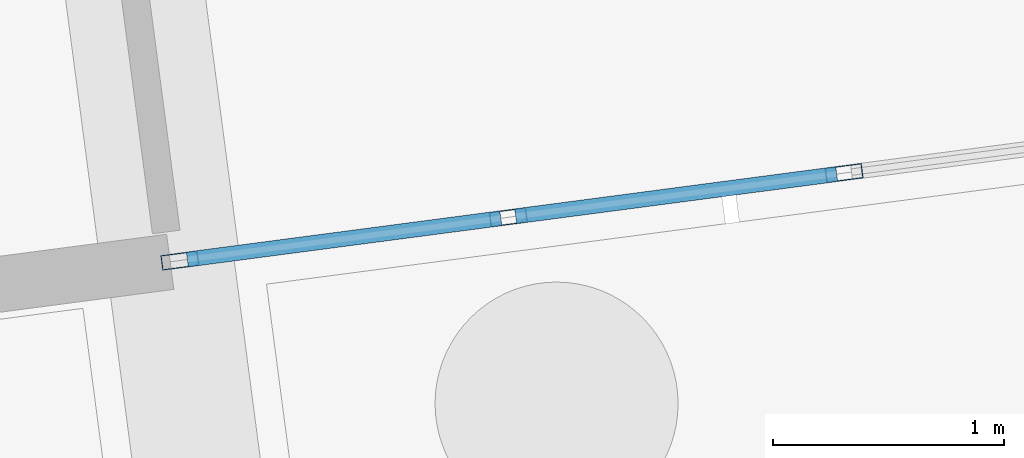
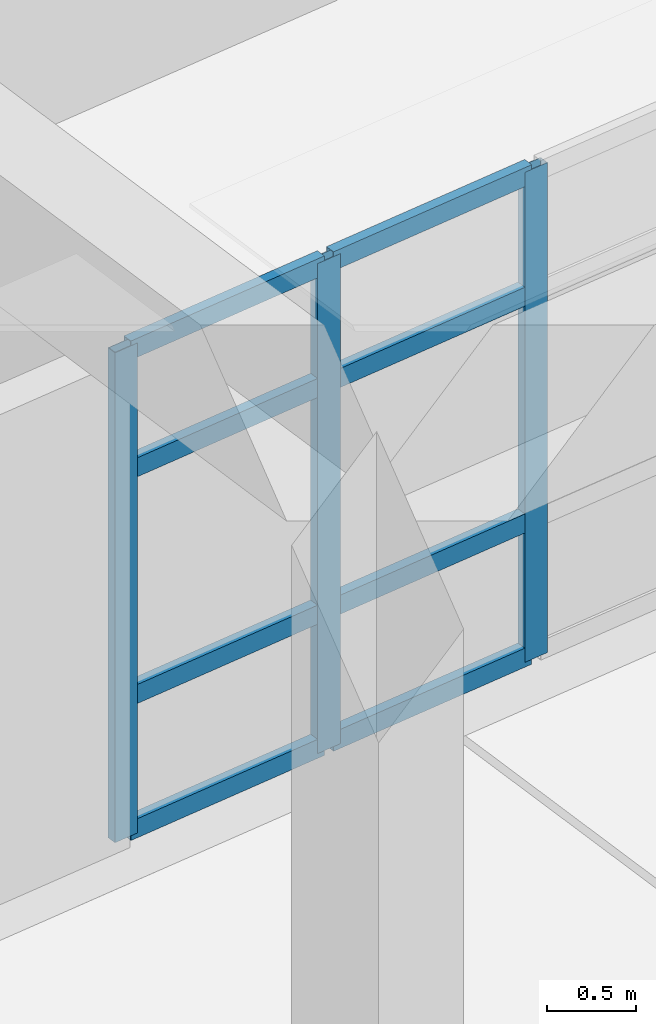
# One storey, part 62 of 154: 11 members, 1 element without a shape of its own.
"""IFC4 building model written with IfcOpenShell, lengths in metres."""

from ifc_helpers import new_model, si_unit, direction, frame, origin, origin_2d, place, context, subcontext, project, spatial, hollow_rectangle, extrude, material, material_profile, profile_set, type_object, element, aggregate, save


model = new_model("IFC4")

# Units and contexts
model_context = context("Model", 3, precision=1e-05, world=origin(), true_north=direction((0.0, 1.0)))
body_context = subcontext(model_context, "Body", "Model", "MODEL_VIEW")
ifc_project = project(units=[si_unit("LENGTHUNIT", "METRE"), si_unit("AREAUNIT", "SQUARE_METRE"), si_unit("VOLUMEUNIT", "CUBIC_METRE"), si_unit("PLANEANGLEUNIT", "RADIAN"), si_unit("MASSUNIT", "GRAM", prefix="KILO")], contexts=[model_context])

# Site, building, storey
site_placement = place(None, origin())
site = spatial("IfcSite", under=ifc_project, at=site_placement, CompositionType="ELEMENT")
building_placement = place(site_placement, origin())
building = spatial("IfcBuilding", under=site, at=building_placement, Name="Kestramere Prow Commons", CompositionType="ELEMENT")
storey_placement = place(building_placement, origin())
storey = spatial("IfcBuildingStorey", under=building, at=storey_placement, Name="L00", CompositionType="ELEMENT", Elevation=0.0)

# Curtain wall, members
ifc_material_1 = material(Name="Anodised Aluminium and Low-E Glass", Category="aluminium")
curtain_wall_type = type_object("IfcCurtainWallType", Name="CW-01 Glazed Curtain Wall 8780x3350", PredefinedType="USERDEFINED", material=ifc_material_1)
curtain_wall_placement = place(storey_placement, origin())
curtain_wall = element("IfcCurtainWall", 1, at=curtain_wall_placement, inside=storey, type_object=curtain_wall_type, Name="Block A L00 South Colonnade Storefront 5", ObjectType="GLAZED CURTAIN WALL", PredefinedType="USERDEFINED")
ifc_material_2 = material(Name="Anodised Aluminium 6063-T6", Category="aluminium")
ifc_material_profile_1 = material_profile(ifc_material_2, hollow_rectangle(XDim=0.06494140625, YDim=0.159912109375, WallThickness=0.00390625, at=origin_2d()), Name="ALU-MUL 65x160")
ifc_profile_set_1 = profile_set([ifc_material_profile_1], Name="Anodised Aluminium 6063-T6")
member_type_1 = type_object("IfcMemberType", Name="CW-MUL-65x160", PredefinedType="MULLION", material=ifc_profile_set_1)
member_1_placement = place(storey_placement, frame((48.697021484375, 79.357421875, 0.0), z_axis=(0.0, 0.0, 1.0), x_axis=(0.130526194106, -0.991444861125, 0.0)))
member_1 = element("IfcMember", 2, at=member_1_placement, type_object=member_type_1, Name="CW-01 mullion 5", PredefinedType="MULLION", context=body_context, shape_type="SweptSolid", body=[
    extrude(hollow_rectangle(XDim=0.06494140625, YDim=0.159912109375, WallThickness=0.00390625, at=origin_2d()), origin(), (0.0, 0.0, 1.0), 3.35009765625),
])
member_2_placement = place(storey_placement, frame((47.246337890625, 79.166259765625, 0.0), z_axis=(0.0, 0.0, 1.0), x_axis=(0.130526194106, -0.991444861125, 0.0)))
member_2 = element("IfcMember", 3, at=member_2_placement, type_object=member_type_1, Name="CW-01 mullion 6", PredefinedType="MULLION", context=body_context, shape_type="SweptSolid", body=[
    extrude(hollow_rectangle(XDim=0.06494140625, YDim=0.159912109375, WallThickness=0.00390625, at=origin_2d()), origin(), (0.0, 0.0, 1.0), 3.35009765625),
])
member_3_placement = place(storey_placement, frame((45.82763671875, 78.9794921875, 0.0), z_axis=(0.0, 0.0, 1.0), x_axis=(0.130526194106, -0.991444861125, 0.0)))
member_3 = element("IfcMember", 4, at=member_3_placement, type_object=member_type_1, Name="CW-01 mullion 7", PredefinedType="MULLION", context=body_context, shape_type="SweptSolid", body=[
    extrude(hollow_rectangle(XDim=0.06494140625, YDim=0.159912109375, WallThickness=0.00390625, at=origin_2d()), origin(), (0.0, 0.0, 1.0), 3.35009765625),
])
ifc_material_profile_2 = material_profile(ifc_material_2, hollow_rectangle(XDim=0.06494140625, YDim=0.1298828125, WallThickness=0.00390625, at=origin_2d()), Name="ALU-TRN 65x130")
ifc_profile_set_2 = profile_set([ifc_material_profile_2], Name="Anodised Aluminium 6063-T6")
member_type_2 = type_object("IfcMemberType", Name="CW-TRN-65x130", PredefinedType="USERDEFINED", material=ifc_profile_set_2)
member_4_placement = place(storey_placement, frame((48.6650390625, 79.35302734375, 0.032470703125), z_axis=(-0.99145964274, -0.130413867429, 0.0), x_axis=(0.130413867429, -0.99145964274, 0.0)))
member_4 = element("IfcMember", 5, at=member_4_placement, type_object=member_type_2, Name="CW-01 transom 5.1", ObjectType="TRANSOM", PredefinedType="USERDEFINED", context=body_context, shape_type="SweptSolid", body=[
    extrude(hollow_rectangle(XDim=0.06494140625, YDim=0.1298828125, WallThickness=0.00390625, at=origin_2d()), origin(), (0.0, 0.0, 1.0), 1.3984375),
])
member_5_placement = place(storey_placement, frame((48.6650390625, 79.35302734375, 0.949951171875), z_axis=(-0.99145964274, -0.130413867429, 0.0), x_axis=(0.130413867429, -0.99145964274, 0.0)))
member_5 = element("IfcMember", 6, at=member_5_placement, type_object=member_type_2, Name="CW-01 transom 5.2", ObjectType="TRANSOM", PredefinedType="USERDEFINED", context=body_context, shape_type="SweptSolid", body=[
    extrude(hollow_rectangle(XDim=0.06494140625, YDim=0.1298828125, WallThickness=0.00390625, at=origin_2d()), origin(), (0.0, 0.0, 1.0), 1.3984375),
])
member_6_placement = place(storey_placement, frame((48.6650390625, 79.35302734375, 2.5), z_axis=(-0.99145964274, -0.130413867429, 0.0), x_axis=(0.130413867429, -0.99145964274, 0.0)))
member_6 = element("IfcMember", 7, at=member_6_placement, type_object=member_type_2, Name="CW-01 transom 5.3", ObjectType="TRANSOM", PredefinedType="USERDEFINED", context=body_context, shape_type="SweptSolid", body=[
    extrude(hollow_rectangle(XDim=0.06494140625, YDim=0.1298828125, WallThickness=0.00390625, at=origin_2d()), origin(), (0.0, 0.0, 1.0), 1.3984375),
])
member_7_placement = place(storey_placement, frame((48.6650390625, 79.35302734375, 3.3173828125), z_axis=(-0.99145964274, -0.130413867429, 0.0), x_axis=(0.130413867429, -0.99145964274, 0.0)))
member_7 = element("IfcMember", 8, at=member_7_placement, type_object=member_type_2, Name="CW-01 transom 5.4", ObjectType="TRANSOM", PredefinedType="USERDEFINED", context=body_context, shape_type="SweptSolid", body=[
    extrude(hollow_rectangle(XDim=0.06494140625, YDim=0.1298828125, WallThickness=0.00390625, at=origin_2d()), origin(), (0.0, 0.0, 1.0), 1.3984375),
])
member_8_placement = place(storey_placement, frame((47.214111328125, 79.162109375, 0.032470703125), z_axis=(-0.991451253468, -0.130477630256, 0.0), x_axis=(0.130477630256, -0.991451253468, 0.0)))
member_8 = element("IfcMember", 9, at=member_8_placement, type_object=member_type_2, Name="CW-01 transom 6.1", ObjectType="TRANSOM", PredefinedType="USERDEFINED", context=body_context, shape_type="SweptSolid", body=[
    extrude(hollow_rectangle(XDim=0.06494140625, YDim=0.1298828125, WallThickness=0.00390625, at=origin_2d()), origin(), (0.0, 0.0, 1.0), 1.365966796875),
])
member_9_placement = place(storey_placement, frame((47.214111328125, 79.162109375, 0.949951171875), z_axis=(-0.991451253468, -0.130477630256, 0.0), x_axis=(0.130477630256, -0.991451253468, 0.0)))
member_9 = element("IfcMember", 10, at=member_9_placement, type_object=member_type_2, Name="CW-01 transom 6.2", ObjectType="TRANSOM", PredefinedType="USERDEFINED", context=body_context, shape_type="SweptSolid", body=[
    extrude(hollow_rectangle(XDim=0.06494140625, YDim=0.1298828125, WallThickness=0.00390625, at=origin_2d()), origin(), (0.0, 0.0, 1.0), 1.365966796875),
])
member_10_placement = place(storey_placement, frame((47.214111328125, 79.162109375, 2.5), z_axis=(-0.991451253468, -0.130477630256, 0.0), x_axis=(0.130477630256, -0.991451253468, 0.0)))
member_10 = element("IfcMember", 11, at=member_10_placement, type_object=member_type_2, Name="CW-01 transom 6.3", ObjectType="TRANSOM", PredefinedType="USERDEFINED", context=body_context, shape_type="SweptSolid", body=[
    extrude(hollow_rectangle(XDim=0.06494140625, YDim=0.1298828125, WallThickness=0.00390625, at=origin_2d()), origin(), (0.0, 0.0, 1.0), 1.365966796875),
])
member_11_placement = place(storey_placement, frame((47.214111328125, 79.162109375, 3.3173828125), z_axis=(-0.991451253468, -0.130477630256, 0.0), x_axis=(0.130477630256, -0.991451253468, 0.0)))
member_11 = element("IfcMember", 12, at=member_11_placement, type_object=member_type_2, Name="CW-01 transom 6.4", ObjectType="TRANSOM", PredefinedType="USERDEFINED", context=body_context, shape_type="SweptSolid", body=[
    extrude(hollow_rectangle(XDim=0.06494140625, YDim=0.1298828125, WallThickness=0.00390625, at=origin_2d()), origin(), (0.0, 0.0, 1.0), 1.365966796875),
])
aggregate(curtain_wall, [member_1, member_2, member_3, member_4, member_5, member_6, member_7, member_8, member_9, member_10, member_11])

save(model, "model.ifc")
